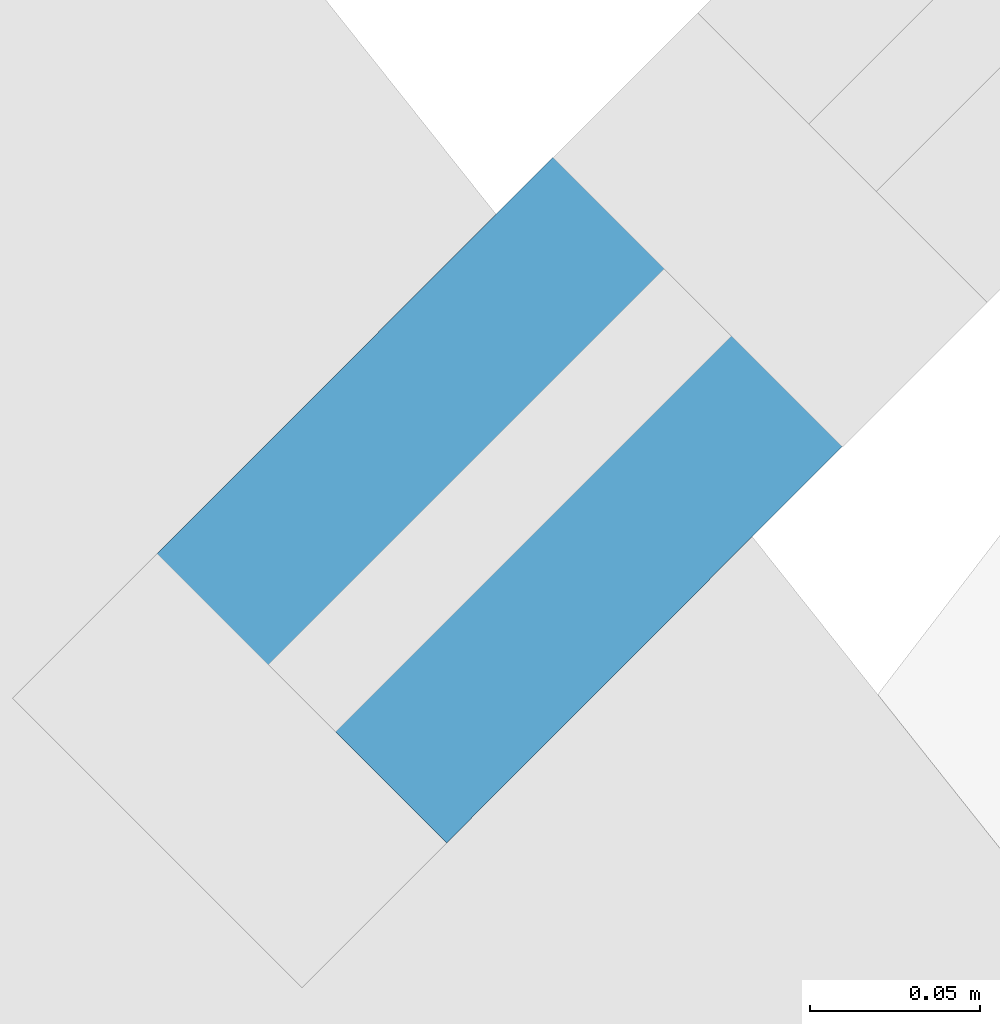
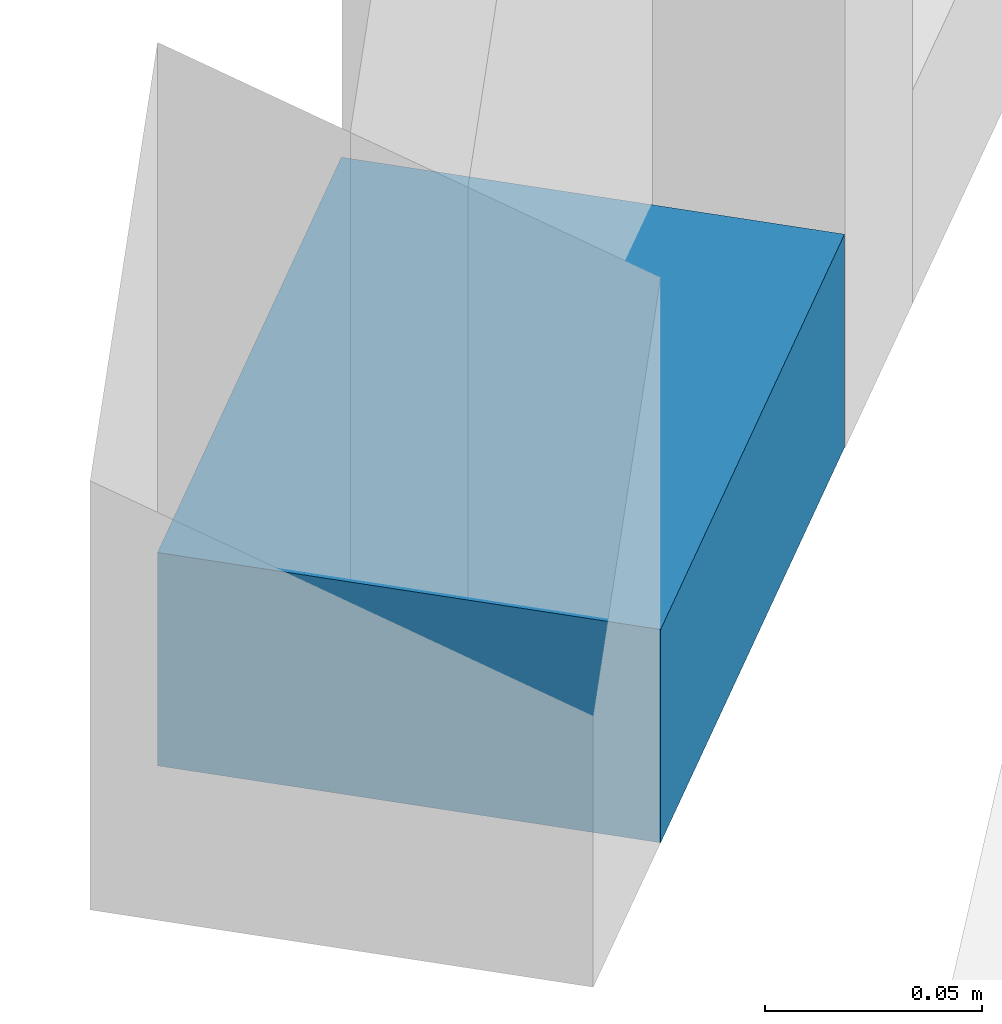
# One storey, part 16 of 33: 1 member, 1 element without a shape of its own.
"""IFC4 building model written with IfcOpenShell, lengths in metres."""

from ifc_helpers import new_model, si_unit, direction, frame, origin, origin_2d, place, context, subcontext, project, spatial, rectangle, extrude, material, layer, layer_set, material_profile, profile_set, type_object, element, aggregate, save


model = new_model("IFC4")

# Units and contexts
model_context = context("Model", 3, precision=1e-05, world=origin(), true_north=direction((0.0, 1.0)))
body_context = subcontext(model_context, "Body", "Model", "MODEL_VIEW")
ifc_project = project(units=[si_unit("LENGTHUNIT", "METRE"), si_unit("AREAUNIT", "SQUARE_METRE"), si_unit("VOLUMEUNIT", "CUBIC_METRE"), si_unit("PLANEANGLEUNIT", "RADIAN"), si_unit("MASSUNIT", "GRAM", prefix="KILO")], contexts=[model_context])

# Site, building, storey
site_placement = place(None, origin())
site = spatial("IfcSite", under=ifc_project, at=site_placement, CompositionType="ELEMENT")
building_placement = place(site_placement, origin())
building = spatial("IfcBuilding", under=site, at=building_placement, Name="Marenta Gate Hotel Tower", CompositionType="ELEMENT")
storey_placement = place(building_placement, frame((0.0, 0.0, 108.5)))
storey = spatial("IfcBuildingStorey", under=building, at=storey_placement, Name="L23", CompositionType="ELEMENT", Elevation=108.5)

# Curtain wall, member
ifc_material_1 = material(Name="Tinted insulated glass in bronze anodised frame", Category="glass")
ifc_layer = layer(ifc_material_1, 0.1201171875)
ifc_layer_set = layer_set([ifc_layer], Name="Tinted insulated glass in bronze anodised frame")
curtain_wall_type = type_object("IfcCurtainWallType", Name="Tower unitised curtain wall CW1", PredefinedType="NOTDEFINED", material=ifc_layer_set)
curtain_wall_placement = place(storey_placement, origin())
curtain_wall = element("IfcCurtainWall", 1, at=curtain_wall_placement, inside=storey, type_object=curtain_wall_type, Name="CW1 run G02", PredefinedType="NOTDEFINED")
ifc_material_2 = material(Name="Bronze anodised aluminium", Category="aluminium")
ifc_material_profile = material_profile(ifc_material_2, rectangle(XDim=0.1201171875, YDim=0.06005859375, at=origin_2d()), Name="Transom CW1 60x120 bronze anodised aluminium")
ifc_profile_set = profile_set([ifc_material_profile], Name="Bronze anodised aluminium")
member_type = type_object("IfcMemberType", Name="Transom CW1 60x120 bronze anodised aluminium", PredefinedType="USERDEFINED", material=ifc_profile_set)
member_placement = place(storey_placement, frame((-26.013671875, 25.977294921875, 0.030029296875), z_axis=(-0.706364412476, -0.707848371325, 0.0), x_axis=(0.707848371325, -0.706364412476, 0.0)))
member = element("IfcMember", 2, at=member_placement, type_object=member_type, Name="CW1 transom 1.1", ObjectType="TRANSOM", PredefinedType="USERDEFINED", context=body_context, shape_type="SweptSolid", body=[
    extrude(rectangle(XDim=0.1201171875, YDim=0.06005859375, at=origin_2d()), origin(), (0.0, 0.0, 1.0), 0.16455078125),
])
aggregate(curtain_wall, [member])

save(model, "model.ifc")
